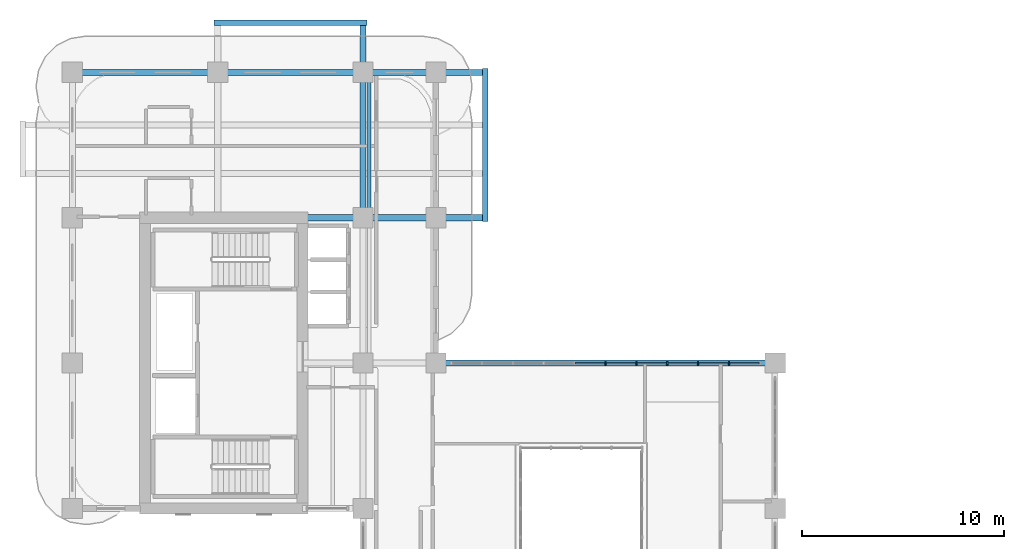
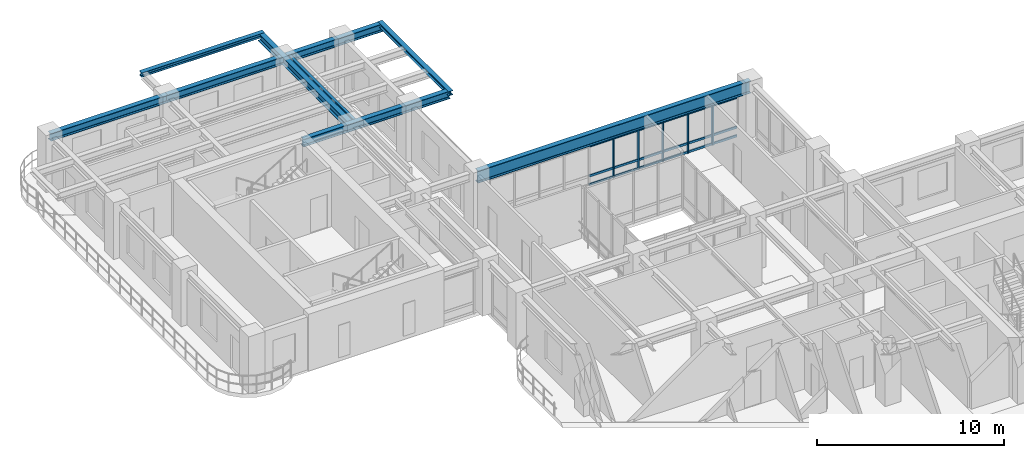
# One storey, part 6 of 20: 23 members, 8 beams, 1 element without a shape of its own.
"""IFC4 building model written with IfcOpenShell, lengths in metres."""

from ifc_helpers import new_model, si_unit, derived_unit, direction, frame, origin, origin_2d, place, context, subcontext, project, spatial, rectangle, i_section, extrude, source, transform, mapped, material, layer, layer_set, material_profile, profile_set, type_object, type_shapes, element, aggregate, save


model = new_model("IFC4")

# Units and contexts
model_context = context("Model", 3, precision=1e-05, world=origin(), true_north=direction((0.0, 1.0)))
body_context = subcontext(model_context, "Body", "Model", "MODEL_VIEW")
ifc_project = project(units=[si_unit("LENGTHUNIT", "METRE"), si_unit("AREAUNIT", "SQUARE_METRE"), si_unit("VOLUMEUNIT", "CUBIC_METRE"), si_unit("PLANEANGLEUNIT", "RADIAN"), si_unit("MASSUNIT", "GRAM", prefix="KILO"), si_unit("THERMODYNAMICTEMPERATUREUNIT", "KELVIN"), si_unit("POWERUNIT", "WATT"), derived_unit("THERMALTRANSMITTANCEUNIT", [(si_unit("POWERUNIT", "WATT"), 1), (si_unit("AREAUNIT", "SQUARE_METRE"), -1), (si_unit("THERMODYNAMICTEMPERATUREUNIT", "KELVIN"), -1)])], contexts=[model_context])

# Site, building, storey
site_placement = place(None, origin())
site = spatial("IfcSite", under=ifc_project, at=site_placement, CompositionType="ELEMENT")
building_placement = place(site_placement, origin())
building = spatial("IfcBuilding", under=site, at=building_placement, Name="Zahravan Archway Hotel and Residences", CompositionType="ELEMENT")
storey_placement = place(building_placement, frame((0.0, 0.0, 119.199951171875)))
storey = spatial("IfcBuildingStorey", under=building, at=storey_placement, Name="L29", CompositionType="ELEMENT", Elevation=119.199951171875)

# Beams
ifc_material_1 = material(Name="Structural Steel S355JR", Category="steel")
ifc_material_profile_1 = material_profile(ifc_material_1, i_section(OverallWidth=0.280029296875, OverallDepth=0.280029296875, WebThickness=0.010498046875, FlangeThickness=0.01806640625, FilletRadius=0.02392578125, at=origin_2d()), Name="HEB 280", Category="steel")
ifc_profile_set_1 = profile_set([ifc_material_profile_1], Name="Structural Steel S355JR")
beam_type_1 = type_object("IfcBeamType", Name="BM-SPN-HEB280", PredefinedType="SPANDREL", material=ifc_profile_set_1)
shared_shape_1 = source(origin(), body_context, "Body", "SweptSolid", [
    extrude(i_section(OverallWidth=0.280029296875, OverallDepth=0.280029296875, WebThickness=0.010498046875, FlangeThickness=0.01806640625, FilletRadius=0.02392578125, at=origin_2d()), origin(), (0.0, 0.0, 1.0), 7.56005859375),
])
type_shapes(beam_type_1, [shared_shape_1])
for number, where, z_axis, x_axis, name in (
    (1, (20.449951171875, 39.419921875, 3.31005859375), (0.0, 1.0, 0.0), (-1.0, 0.0, 0.0), "L30 EB Balcony Edge Spandrel"),
    (2, (7.02001953125, 49.25, 3.31005859375), (1.0, 0.0, 0.0), (0.0, 1.0, 0.0), "L30 NB Balcony Edge Spandrel"),
):
    element("IfcBeam", number, at=place(storey_placement, frame(where, z_axis=z_axis, x_axis=x_axis)), inside=storey, type_object=beam_type_1, Name=name, PredefinedType="SPANDREL", context=body_context, shape_type="MappedRepresentation", body=[
        mapped(shared_shape_1, transform((0.0, 0.0, 0.0), scale=1.0)),
    ])
ifc_material_2 = material(Name="Structural Steel S355J2", Category="steel")
ifc_material_profile_2 = material_profile(ifc_material_2, i_section(OverallWidth=0.300048828125, OverallDepth=0.800048828125, WebThickness=0.017578125, FlangeThickness=0.032958984375, FilletRadius=0.030029296875, at=origin_2d()), Name="HEB 800", Category="steel")
ifc_profile_set_2 = profile_set([ifc_material_profile_2], Name="Structural Steel S355J2")
beam_type_2 = type_object("IfcBeamType", Name="BM-PRI-HEB800", PredefinedType="BEAM", material=ifc_profile_set_2)
shared_shape_2 = source(origin(), body_context, "Body", "SweptSolid", [
    extrude(i_section(OverallWidth=0.300048828125, OverallDepth=0.800048828125, WebThickness=0.017578125, FlangeThickness=0.032958984375, FilletRadius=0.030029296875, at=origin_2d()), origin(), (0.0, 0.0, 1.0), 16.800048828125),
])
type_shapes(beam_type_2, [shared_shape_2])
beam_1_placement = place(storey_placement, frame((18.0, 32.39990234375, 3.050048828125), z_axis=(1.0, 0.0, 0.0), x_axis=(0.0, 1.0, 0.0)))
element("IfcBeam", 3, at=beam_1_placement, inside=storey, type_object=beam_type_2, Name="L29 Primary Girder EW-18", PredefinedType="BEAM", context=body_context, shape_type="MappedRepresentation", body=[
    mapped(shared_shape_2, transform((0.0, 0.0, 0.0), scale=1.0)),
])
ifc_material_profile_3 = material_profile(ifc_material_1, i_section(OverallWidth=0.300048828125, OverallDepth=0.5, WebThickness=0.014404296875, FlangeThickness=0.028076171875, FilletRadius=0.027099609375, at=origin_2d()), Name="HEB 500", Category="steel")
ifc_profile_set_3 = profile_set([ifc_material_profile_3], Name="Structural Steel S355JR")
beam_type_3 = type_object("IfcBeamType", Name="BM-PRI-HEB500", PredefinedType="BEAM", material=ifc_profile_set_3)
shared_shape_3 = source(origin(), body_context, "Body", "SweptSolid", [
    extrude(i_section(OverallWidth=0.300048828125, OverallDepth=0.5, WebThickness=0.014404296875, FlangeThickness=0.028076171875, FilletRadius=0.027099609375, at=origin_2d()), origin(), (0.0, 0.0, 1.0), 7.199951171875),
])
beam_2_placement = place(storey_placement, frame((0.0, 46.800048828125, 3.199951171875), z_axis=(1.0, 0.0, 0.0), x_axis=(0.0, 1.0, 0.0)))
element("IfcBeam", 4, at=beam_2_placement, inside=storey, type_object=beam_type_3, Name="L29 Primary Girder EW-20", PredefinedType="BEAM", context=body_context, shape_type="MappedRepresentation", body=[
    mapped(shared_shape_3, transform((0.0, 0.0, 0.0), scale=1.0)),
])
shared_shape_4 = source(origin(), body_context, "Body", "SweptSolid", [
    extrude(i_section(OverallWidth=0.300048828125, OverallDepth=0.5, WebThickness=0.014404296875, FlangeThickness=0.028076171875, FilletRadius=0.027099609375, at=origin_2d()), origin(), (0.0, 0.0, 1.0), 9.050048828125),
])
beam_3_placement = place(storey_placement, frame((11.39990234375, 39.60009765625, 3.199951171875), z_axis=(1.0, 0.0, 0.0), x_axis=(0.0, 1.0, 0.0)))
element("IfcBeam", 5, at=beam_3_placement, inside=storey, type_object=beam_type_3, Name="L29 Primary Girder EW-19", PredefinedType="BEAM", context=body_context, shape_type="MappedRepresentation", body=[
    mapped(shared_shape_4, transform((0.0, 0.0, 0.0), scale=1.0)),
])
shared_shape_5 = source(origin(), body_context, "Body", "SweptSolid", [
    extrude(i_section(OverallWidth=0.300048828125, OverallDepth=0.5, WebThickness=0.014404296875, FlangeThickness=0.028076171875, FilletRadius=0.027099609375, at=origin_2d()), origin(), (0.0, 0.0, 1.0), 13.25),
])
beam_4_placement = place(storey_placement, frame((7.199951171875, 46.800048828125, 3.199951171875), z_axis=(1.0, 0.0, 0.0), x_axis=(0.0, 1.0, 0.0)))
element("IfcBeam", 6, at=beam_4_placement, inside=storey, type_object=beam_type_3, Name="L29 Primary Girder EW-21", PredefinedType="BEAM", context=body_context, shape_type="MappedRepresentation", body=[
    mapped(shared_shape_5, transform((0.0, 0.0, 0.0), scale=1.0)),
])
shared_shape_6 = source(origin(), body_context, "Body", "SweptSolid", [
    extrude(i_section(OverallWidth=0.300048828125, OverallDepth=0.5, WebThickness=0.014404296875, FlangeThickness=0.028076171875, FilletRadius=0.027099609375, at=origin_2d()), origin(), (0.0, 0.0, 1.0), 9.64990234375),
])
beam_5_placement = place(storey_placement, frame((14.39990234375, 39.60009765625, 3.199951171875), z_axis=(0.0, 1.0, 0.0), x_axis=(-1.0, 0.0, 0.0)))
element("IfcBeam", 7, at=beam_5_placement, inside=storey, type_object=beam_type_3, Name="L29 Primary Girder NS-34", PredefinedType="BEAM", context=body_context, shape_type="MappedRepresentation", body=[
    mapped(shared_shape_6, transform((0.0, 0.0, 0.0), scale=1.0)),
])
ifc_material_profile_4 = material_profile(ifc_material_1, i_section(OverallWidth=0.159912109375, OverallDepth=0.330078125, WebThickness=0.007568359375, FlangeThickness=0.011474609375, FilletRadius=0.01806640625, at=origin_2d()), Name="IPE 330", Category="steel")
ifc_profile_set_4 = profile_set([ifc_material_profile_4], Name="Structural Steel S355JR")
beam_type_4 = type_object("IfcBeamType", Name="BM-JST-IPE330", PredefinedType="JOIST", material=ifc_profile_set_4)
shared_shape_7 = source(origin(), body_context, "Body", "SweptSolid", [
    extrude(i_section(OverallWidth=0.159912109375, OverallDepth=0.330078125, WebThickness=0.007568359375, FlangeThickness=0.011474609375, FilletRadius=0.01806640625, at=origin_2d()), origin(), (0.0, 0.0, 1.0), 6.904052734375),
])
type_shapes(beam_type_4, [shared_shape_7])
beam_6_placement = place(storey_placement, frame((14.699951171875, 39.748046875, 3.28515625), z_axis=(0.0, 1.0, 0.0), x_axis=(-1.0, 0.0, 0.0)))
element("IfcBeam", 8, at=beam_6_placement, inside=storey, type_object=beam_type_4, Name="L29 Composite Floor Joist 12", PredefinedType="JOIST", context=body_context, shape_type="MappedRepresentation", body=[
    mapped(shared_shape_7, transform((0.0, 0.0, 0.0), scale=1.0)),
])

# Curtain wall, members
ifc_material_3 = material(Name="Bronze-Anodized Unitised Aluminium & Low-E Glass", Category="aluminium")
ifc_layer = layer(ifc_material_3, 0.179931640625, Name="Bronze-Anodized Unitised Aluminium & Low-E Glass", Category="aluminium")
ifc_layer_set = layer_set([ifc_layer], Name="Bronze-Anodized Unitised Aluminium & Low-E Glass")
curtain_wall_type = type_object("IfcCurtainWallType", Name="CW-ATR-GLAZ", PredefinedType="NOTDEFINED", material=ifc_layer_set)
curtain_wall_placement = place(storey_placement, origin())
curtain_wall = element("IfcCurtainWall", 9, at=curtain_wall_placement, inside=storey, type_object=curtain_wall_type, Name="L29 Curtain Wall CW-L29-HNG-N-1", PredefinedType="NOTDEFINED")
ifc_material_4 = material(Name="Bronze-Anodized Extruded Aluminium", Category="aluminium")
ifc_material_profile_5 = material_profile(ifc_material_4, rectangle(XDim=0.080078125, YDim=0.159912109375, at=origin_2d()), Name="MUL 80x160", Category="aluminium")
ifc_profile_set_5 = profile_set([ifc_material_profile_5], Name="Bronze-Anodized Extruded Aluminium")
member_type_1 = type_object("IfcMemberType", Name="CWM-MUL-160", PredefinedType="MULLION", material=ifc_profile_set_5)
shared_shape_8 = source(origin(), body_context, "Body", "SweptSolid", [
    extrude(rectangle(XDim=0.080078125, YDim=0.159912109375, at=origin_2d()), origin(), (0.0, 0.0, 1.0), 2.635009765625),
])
member_1_placement = place(storey_placement, frame((26.39990234375, 32.39990234375, 0.0), z_axis=(0.0, 0.0, 1.0), x_axis=(1.0, 0.0, 0.0)))
member_1 = element("IfcMember", 10, at=member_1_placement, type_object=member_type_1, Name="CW-L29-HNG-N-1 Mullion 5", PredefinedType="MULLION", context=body_context, shape_type="MappedRepresentation", body=[
    mapped(shared_shape_8, transform((0.0, 0.0, 0.0), scale=1.0)),
])
member_2_placement = place(storey_placement, frame((27.927978515625, 32.39990234375, 0.0), z_axis=(0.0, 0.0, 1.0), x_axis=(1.0, 0.0, 0.0)))
member_2 = element("IfcMember", 11, at=member_2_placement, type_object=member_type_1, Name="CW-L29-HNG-N-1 Mullion 6", PredefinedType="MULLION", context=body_context, shape_type="MappedRepresentation", body=[
    mapped(shared_shape_8, transform((0.0, 0.0, 0.0), scale=1.0)),
])
member_3_placement = place(storey_placement, frame((29.4560546875, 32.39990234375, 0.0), z_axis=(0.0, 0.0, 1.0), x_axis=(1.0, 0.0, 0.0)))
member_3 = element("IfcMember", 12, at=member_3_placement, type_object=member_type_1, Name="CW-L29-HNG-N-1 Mullion 7", PredefinedType="MULLION", context=body_context, shape_type="MappedRepresentation", body=[
    mapped(shared_shape_8, transform((0.0, 0.0, 0.0), scale=1.0)),
])
member_4_placement = place(storey_placement, frame((30.98388671875, 32.39990234375, 0.0), z_axis=(0.0, 0.0, 1.0), x_axis=(1.0, 0.0, 0.0)))
member_4 = element("IfcMember", 13, at=member_4_placement, type_object=member_type_1, Name="CW-L29-HNG-N-1 Mullion 8", PredefinedType="MULLION", context=body_context, shape_type="MappedRepresentation", body=[
    mapped(shared_shape_8, transform((0.0, 0.0, 0.0), scale=1.0)),
])
member_5_placement = place(storey_placement, frame((32.511962890625, 32.39990234375, 0.0), z_axis=(0.0, 0.0, 1.0), x_axis=(1.0, 0.0, 0.0)))
member_5 = element("IfcMember", 14, at=member_5_placement, type_object=member_type_1, Name="CW-L29-HNG-N-1 Mullion 9", PredefinedType="MULLION", context=body_context, shape_type="MappedRepresentation", body=[
    mapped(shared_shape_8, transform((0.0, 0.0, 0.0), scale=1.0)),
])
ifc_material_profile_6 = material_profile(ifc_material_4, rectangle(XDim=0.080078125, YDim=0.139892578125, at=origin_2d()), Name="TRN 80x140", Category="aluminium")
ifc_profile_set_6 = profile_set([ifc_material_profile_6], Name="Bronze-Anodized Extruded Aluminium")
member_type_2 = type_object("IfcMemberType", Name="CWM-TRN-140", PredefinedType="USERDEFINED", material=ifc_profile_set_6)
shared_shape_9 = source(origin(), body_context, "Body", "SweptSolid", [
    extrude(rectangle(XDim=0.080078125, YDim=0.139892578125, at=origin_2d()), origin(), (0.0, 0.0, 1.0), 1.447998046875),
])
member_6_placement = place(storey_placement, frame((24.912109375, 32.39990234375, 0.070068359375), z_axis=(1.0, 0.0, 0.0), x_axis=(0.0, 1.0, 0.0)))
member_6 = element("IfcMember", 15, at=member_6_placement, type_object=member_type_2, Name="CW-L29-HNG-N-1 Transom 4-1", ObjectType="TRANSOM", PredefinedType="USERDEFINED", context=body_context, shape_type="MappedRepresentation", body=[
    mapped(shared_shape_9, transform((0.0, 0.0, 0.0), scale=1.0)),
])
member_7_placement = place(storey_placement, frame((24.912109375, 32.39990234375, 0.632568359375), z_axis=(1.0, 0.0, 0.0), x_axis=(0.0, 1.0, 0.0)))
member_7 = element("IfcMember", 16, at=member_7_placement, type_object=member_type_2, Name="CW-L29-HNG-N-1 Transom 4-2", ObjectType="TRANSOM", PredefinedType="USERDEFINED", context=body_context, shape_type="MappedRepresentation", body=[
    mapped(shared_shape_9, transform((0.0, 0.0, 0.0), scale=1.0)),
])
member_8_placement = place(storey_placement, frame((24.912109375, 32.39990234375, 2.56494140625), z_axis=(1.0, 0.0, 0.0), x_axis=(0.0, 1.0, 0.0)))
member_8 = element("IfcMember", 17, at=member_8_placement, type_object=member_type_2, Name="CW-L29-HNG-N-1 Transom 4-3", ObjectType="TRANSOM", PredefinedType="USERDEFINED", context=body_context, shape_type="MappedRepresentation", body=[
    mapped(shared_shape_9, transform((0.0, 0.0, 0.0), scale=1.0)),
])
member_9_placement = place(storey_placement, frame((26.43994140625, 32.39990234375, 0.070068359375), z_axis=(1.0, 0.0, 0.0), x_axis=(0.0, 1.0, 0.0)))
member_9 = element("IfcMember", 18, at=member_9_placement, type_object=member_type_2, Name="CW-L29-HNG-N-1 Transom 5-1", ObjectType="TRANSOM", PredefinedType="USERDEFINED", context=body_context, shape_type="MappedRepresentation", body=[
    mapped(shared_shape_9, transform((0.0, 0.0, 0.0), scale=1.0)),
])
member_10_placement = place(storey_placement, frame((26.43994140625, 32.39990234375, 0.632568359375), z_axis=(1.0, 0.0, 0.0), x_axis=(0.0, 1.0, 0.0)))
member_10 = element("IfcMember", 19, at=member_10_placement, type_object=member_type_2, Name="CW-L29-HNG-N-1 Transom 5-2", ObjectType="TRANSOM", PredefinedType="USERDEFINED", context=body_context, shape_type="MappedRepresentation", body=[
    mapped(shared_shape_9, transform((0.0, 0.0, 0.0), scale=1.0)),
])
member_11_placement = place(storey_placement, frame((26.43994140625, 32.39990234375, 2.56494140625), z_axis=(1.0, 0.0, 0.0), x_axis=(0.0, 1.0, 0.0)))
member_11 = element("IfcMember", 20, at=member_11_placement, type_object=member_type_2, Name="CW-L29-HNG-N-1 Transom 5-3", ObjectType="TRANSOM", PredefinedType="USERDEFINED", context=body_context, shape_type="MappedRepresentation", body=[
    mapped(shared_shape_9, transform((0.0, 0.0, 0.0), scale=1.0)),
])
member_12_placement = place(storey_placement, frame((27.968017578125, 32.39990234375, 0.070068359375), z_axis=(1.0, 0.0, 0.0), x_axis=(0.0, 1.0, 0.0)))
member_12 = element("IfcMember", 21, at=member_12_placement, type_object=member_type_2, Name="CW-L29-HNG-N-1 Transom 6-1", ObjectType="TRANSOM", PredefinedType="USERDEFINED", context=body_context, shape_type="MappedRepresentation", body=[
    mapped(shared_shape_9, transform((0.0, 0.0, 0.0), scale=1.0)),
])
member_13_placement = place(storey_placement, frame((27.968017578125, 32.39990234375, 0.632568359375), z_axis=(1.0, 0.0, 0.0), x_axis=(0.0, 1.0, 0.0)))
member_13 = element("IfcMember", 22, at=member_13_placement, type_object=member_type_2, Name="CW-L29-HNG-N-1 Transom 6-2", ObjectType="TRANSOM", PredefinedType="USERDEFINED", context=body_context, shape_type="MappedRepresentation", body=[
    mapped(shared_shape_9, transform((0.0, 0.0, 0.0), scale=1.0)),
])
member_14_placement = place(storey_placement, frame((27.968017578125, 32.39990234375, 2.56494140625), z_axis=(1.0, 0.0, 0.0), x_axis=(0.0, 1.0, 0.0)))
member_14 = element("IfcMember", 23, at=member_14_placement, type_object=member_type_2, Name="CW-L29-HNG-N-1 Transom 6-3", ObjectType="TRANSOM", PredefinedType="USERDEFINED", context=body_context, shape_type="MappedRepresentation", body=[
    mapped(shared_shape_9, transform((0.0, 0.0, 0.0), scale=1.0)),
])
member_15_placement = place(storey_placement, frame((29.49609375, 32.39990234375, 0.070068359375), z_axis=(1.0, 0.0, 0.0), x_axis=(0.0, 1.0, 0.0)))
member_15 = element("IfcMember", 24, at=member_15_placement, type_object=member_type_2, Name="CW-L29-HNG-N-1 Transom 7-1", ObjectType="TRANSOM", PredefinedType="USERDEFINED", context=body_context, shape_type="MappedRepresentation", body=[
    mapped(shared_shape_9, transform((0.0, 0.0, 0.0), scale=1.0)),
])
member_16_placement = place(storey_placement, frame((29.49609375, 32.39990234375, 0.632568359375), z_axis=(1.0, 0.0, 0.0), x_axis=(0.0, 1.0, 0.0)))
member_16 = element("IfcMember", 25, at=member_16_placement, type_object=member_type_2, Name="CW-L29-HNG-N-1 Transom 7-2", ObjectType="TRANSOM", PredefinedType="USERDEFINED", context=body_context, shape_type="MappedRepresentation", body=[
    mapped(shared_shape_9, transform((0.0, 0.0, 0.0), scale=1.0)),
])
member_17_placement = place(storey_placement, frame((29.49609375, 32.39990234375, 2.56494140625), z_axis=(1.0, 0.0, 0.0), x_axis=(0.0, 1.0, 0.0)))
member_17 = element("IfcMember", 26, at=member_17_placement, type_object=member_type_2, Name="CW-L29-HNG-N-1 Transom 7-3", ObjectType="TRANSOM", PredefinedType="USERDEFINED", context=body_context, shape_type="MappedRepresentation", body=[
    mapped(shared_shape_9, transform((0.0, 0.0, 0.0), scale=1.0)),
])
member_18_placement = place(storey_placement, frame((31.02392578125, 32.39990234375, 0.070068359375), z_axis=(1.0, 0.0, 0.0), x_axis=(0.0, 1.0, 0.0)))
member_18 = element("IfcMember", 27, at=member_18_placement, type_object=member_type_2, Name="CW-L29-HNG-N-1 Transom 8-1", ObjectType="TRANSOM", PredefinedType="USERDEFINED", context=body_context, shape_type="MappedRepresentation", body=[
    mapped(shared_shape_9, transform((0.0, 0.0, 0.0), scale=1.0)),
])
member_19_placement = place(storey_placement, frame((31.02392578125, 32.39990234375, 0.632568359375), z_axis=(1.0, 0.0, 0.0), x_axis=(0.0, 1.0, 0.0)))
member_19 = element("IfcMember", 28, at=member_19_placement, type_object=member_type_2, Name="CW-L29-HNG-N-1 Transom 8-2", ObjectType="TRANSOM", PredefinedType="USERDEFINED", context=body_context, shape_type="MappedRepresentation", body=[
    mapped(shared_shape_9, transform((0.0, 0.0, 0.0), scale=1.0)),
])
member_20_placement = place(storey_placement, frame((31.02392578125, 32.39990234375, 2.56494140625), z_axis=(1.0, 0.0, 0.0), x_axis=(0.0, 1.0, 0.0)))
member_20 = element("IfcMember", 29, at=member_20_placement, type_object=member_type_2, Name="CW-L29-HNG-N-1 Transom 8-3", ObjectType="TRANSOM", PredefinedType="USERDEFINED", context=body_context, shape_type="MappedRepresentation", body=[
    mapped(shared_shape_9, transform((0.0, 0.0, 0.0), scale=1.0)),
])
member_21_placement = place(storey_placement, frame((32.552001953125, 32.39990234375, 0.070068359375), z_axis=(1.0, 0.0, 0.0), x_axis=(0.0, 1.0, 0.0)))
member_21 = element("IfcMember", 30, at=member_21_placement, type_object=member_type_2, Name="CW-L29-HNG-N-1 Transom 9-1", ObjectType="TRANSOM", PredefinedType="USERDEFINED", context=body_context, shape_type="MappedRepresentation", body=[
    mapped(shared_shape_9, transform((0.0, 0.0, 0.0), scale=1.0)),
])
member_22_placement = place(storey_placement, frame((32.552001953125, 32.39990234375, 0.632568359375), z_axis=(1.0, 0.0, 0.0), x_axis=(0.0, 1.0, 0.0)))
member_22 = element("IfcMember", 31, at=member_22_placement, type_object=member_type_2, Name="CW-L29-HNG-N-1 Transom 9-2", ObjectType="TRANSOM", PredefinedType="USERDEFINED", context=body_context, shape_type="MappedRepresentation", body=[
    mapped(shared_shape_9, transform((0.0, 0.0, 0.0), scale=1.0)),
])
member_23_placement = place(storey_placement, frame((32.552001953125, 32.39990234375, 2.56494140625), z_axis=(1.0, 0.0, 0.0), x_axis=(0.0, 1.0, 0.0)))
member_23 = element("IfcMember", 32, at=member_23_placement, type_object=member_type_2, Name="CW-L29-HNG-N-1 Transom 9-3", ObjectType="TRANSOM", PredefinedType="USERDEFINED", context=body_context, shape_type="MappedRepresentation", body=[
    mapped(shared_shape_9, transform((0.0, 0.0, 0.0), scale=1.0)),
])
aggregate(curtain_wall, [member_1, member_2, member_3, member_4, member_5, member_6, member_7, member_8, member_9, member_10, member_11, member_12, member_13, member_14, member_15, member_16, member_17, member_18, member_19, member_20, member_21, member_22, member_23])

save(model, "model.ifc")
